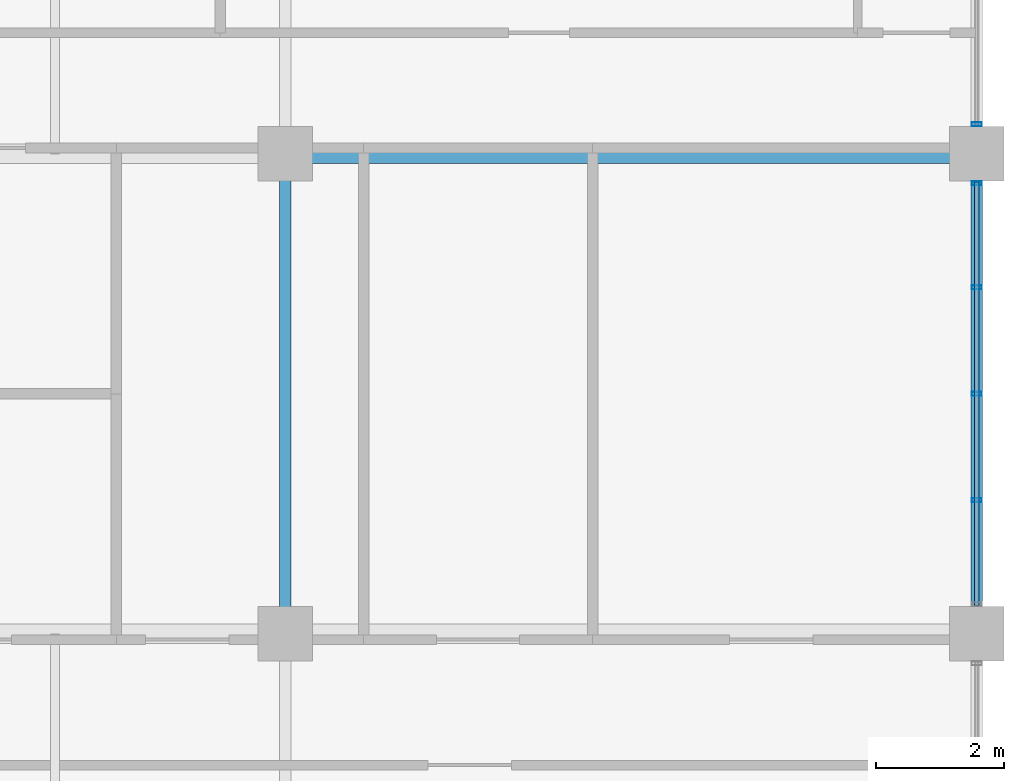
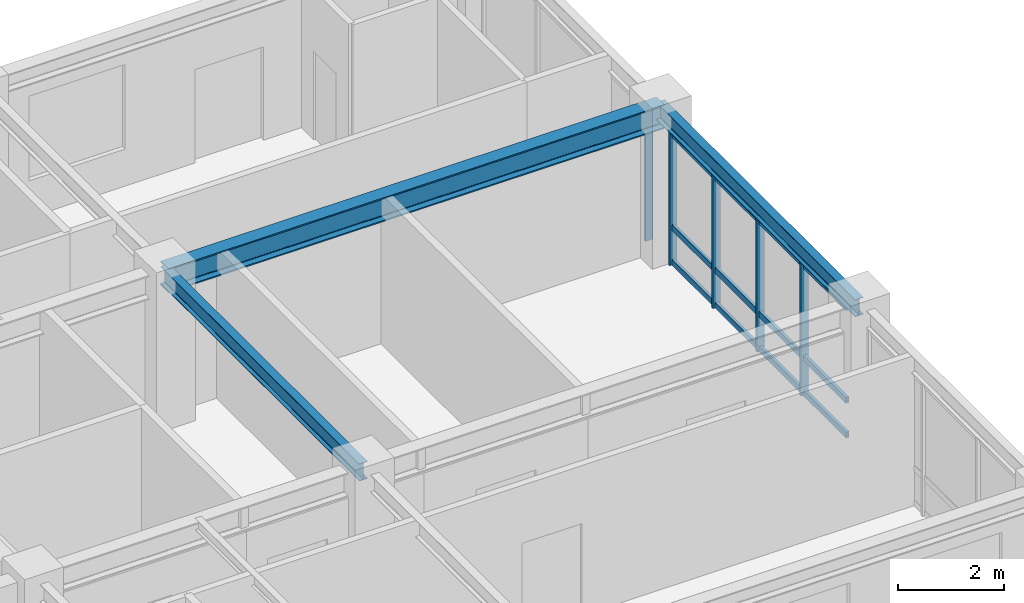
# One storey, part 3 of 11: 8 members, 3 beams, 2 elements without a shape of their own.
"""IFC4 building model written with IfcOpenShell, lengths in metres."""

from ifc_helpers import new_model, si_unit, direction, frame, origin, origin_2d, place, context, subcontext, project, spatial, hollow_rectangle, i_section, extrude, source, transform, mapped, material, layer, layer_set, material_profile, profile_set, type_object, element, aggregate, save


model = new_model("IFC4")

# Units and contexts
model_context = context("Model", 3, precision=1e-05, world=origin(), true_north=direction((0.0, 1.0)))
body_context = subcontext(model_context, "Body", "Model", "MODEL_VIEW")
ifc_project = project(units=[si_unit("LENGTHUNIT", "METRE"), si_unit("AREAUNIT", "SQUARE_METRE"), si_unit("VOLUMEUNIT", "CUBIC_METRE"), si_unit("PLANEANGLEUNIT", "RADIAN"), si_unit("MASSUNIT", "GRAM", prefix="KILO")], contexts=[model_context])

# Site, building, storey
site_placement = place(None, origin())
site = spatial("IfcSite", under=ifc_project, at=site_placement, CompositionType="ELEMENT")
building_placement = place(site_placement, origin())
building = spatial("IfcBuilding", under=site, at=building_placement, Name="Kaliganga Portal Commons", CompositionType="ELEMENT")
storey_placement = place(building_placement, frame((0.0, 0.0, 261.0)))
storey = spatial("IfcBuildingStorey", under=building, at=storey_placement, Name="L67", CompositionType="ELEMENT", Elevation=261.0)

# Beams
ifc_material_1 = material(Name="Structural steel S355J2", Category="steel")
ifc_material_profile_1 = material_profile(ifc_material_1, i_section(OverallWidth=0.300048828125, OverallDepth=0.550048828125, WebThickness=0.014892578125, FlangeThickness=0.029052734375, FilletRadius=0.027099609375, at=origin_2d()), Name="HE 550 B")
ifc_profile_set_1 = profile_set([ifc_material_profile_1], Name="Structural steel S355J2 wide-flange")
beam_type_1 = type_object("IfcBeamType", Name="BM-GIRD-550", PredefinedType="USERDEFINED", material=ifc_profile_set_1)
shared_shape_1 = source(origin(), body_context, "Body", "SweptSolid", [
    extrude(i_section(OverallWidth=0.300048828125, OverallDepth=0.550048828125, WebThickness=0.014892578125, FlangeThickness=0.029052734375, FilletRadius=0.027099609375, at=origin_2d()), origin(), (0.0, 0.0, 1.0), 10.800048828125),
])
beam_placement = place(storey_placement, frame((36.0, 36.14990234375, 3.199951171875), z_axis=(1.0, 0.0, 0.0), x_axis=(0.0, 1.0, 0.0)))
element("IfcBeam", 1, at=beam_placement, inside=storey, type_object=beam_type_1, Name="BM G L67 WAE_N 2", ObjectType="GIRDER", PredefinedType="USERDEFINED", context=body_context, shape_type="MappedRepresentation", body=[
    mapped(shared_shape_1, transform((0.0, 0.0, 0.0), x_axis=(1.0, 0.0, 0.0), y_axis=(0.0, 1.0, 0.0), z_axis=(0.0, 0.0, 1.0), scale=1.0)),
])
ifc_material_profile_2 = material_profile(ifc_material_1, i_section(OverallWidth=0.179931640625, OverallDepth=0.39990234375, WebThickness=0.008544921875, FlangeThickness=0.013427734375, FilletRadius=0.02099609375, at=origin_2d()), Name="IPE 400")
ifc_profile_set_2 = profile_set([ifc_material_profile_2], Name="Structural steel S355J2 wide-flange")
beam_type_2 = type_object("IfcBeamType", Name="BM-FLR-400", PredefinedType="BEAM", material=ifc_profile_set_2)
shared_shape_2 = source(origin(), body_context, "Body", "SweptSolid", [
    extrude(i_section(OverallWidth=0.179931640625, OverallDepth=0.39990234375, WebThickness=0.008544921875, FlangeThickness=0.013427734375, FilletRadius=0.02099609375, at=origin_2d()), origin(), (0.0, 0.0, 1.0), 7.5),
])
for number, where, z_axis, x_axis, name in (
    (2, (36.0, 28.64990234375, 3.27490234375), (0.0, 1.0, 0.0), (-1.0, 0.0, 0.0), "BM G L67 AM360"),
    (3, (46.800048828125, 28.64990234375, 3.27490234375), (0.0, 1.0, 0.0), (-1.0, 0.0, 0.0), "BM G L67 AM468"),
):
    element("IfcBeam", number, at=place(storey_placement, frame(where, z_axis=z_axis, x_axis=x_axis)), inside=storey, type_object=beam_type_2, Name=name, PredefinedType="BEAM", context=body_context, shape_type="MappedRepresentation", body=[
        mapped(shared_shape_2, transform((0.0, 0.0, 0.0), x_axis=(1.0, 0.0, 0.0), y_axis=(0.0, 1.0, 0.0), z_axis=(0.0, 0.0, 1.0), scale=1.0)),
    ])

# Curtain wall, members
ifc_material_2 = material(Name="Anodized Aluminium and Laminated Low-E Glass", Category="aluminium")
ifc_layer = layer(ifc_material_2, 0.18994140625)
ifc_layer_set = layer_set([ifc_layer], Name="Anodized Aluminium and Laminated Low-E Glass")
curtain_wall_type = type_object("IfcCurtainWallType", Name="CW-SYS-05", PredefinedType="NOTDEFINED", material=ifc_layer_set)
curtain_wall_1_placement = place(storey_placement, origin())
curtain_wall_1 = element("IfcCurtainWall", 4, at=curtain_wall_1_placement, inside=storey, type_object=curtain_wall_type, Name="CW 05 L67 P1E01S2", PredefinedType="NOTDEFINED")
ifc_material_3 = material(Name="Dark Bronze Anodized Aluminium", Category="aluminium")
ifc_material_profile_3 = material_profile(ifc_material_3, hollow_rectangle(XDim=0.06005859375, YDim=0.159912109375, WallThickness=0.00341796875, at=origin_2d()), Name="ALU MULL 60x160x3.5")
ifc_profile_set_3 = profile_set([ifc_material_profile_3], Name="Dark Bronze Anodized Aluminium")
member_type_1 = type_object("IfcMemberType", Name="CW-MUL-160", PredefinedType="MULLION", material=ifc_profile_set_3)
shared_shape_3 = source(origin(), body_context, "Body", "SweptSolid", [
    extrude(hollow_rectangle(XDim=0.06005859375, YDim=0.159912109375, WallThickness=0.00341796875, at=origin_2d()), origin(), (0.0, 0.0, 1.0), 3.074951171875),
])
member_1_placement = place(storey_placement, frame((46.800048828125, 30.738037109375, 0.0), z_axis=(0.0, 0.0, 1.0), x_axis=(0.0, 1.0, 0.0)))
member_1 = element("IfcMember", 5, at=member_1_placement, type_object=member_type_1, Name="CW:05:L67:P1E01S2 Mullion 01", PredefinedType="MULLION", context=body_context, shape_type="MappedRepresentation", body=[
    mapped(shared_shape_3, transform((0.0, 0.0, 0.0), x_axis=(1.0, 0.0, 0.0), y_axis=(0.0, 1.0, 0.0), z_axis=(0.0, 0.0, 1.0), scale=1.0)),
])
member_2_placement = place(storey_placement, frame((46.800048828125, 32.39990234375, 0.0), z_axis=(0.0, 0.0, 1.0), x_axis=(0.0, 1.0, 0.0)))
member_2 = element("IfcMember", 6, at=member_2_placement, type_object=member_type_1, Name="CW:05:L67:P1E01S2 Mullion 02", PredefinedType="MULLION", context=body_context, shape_type="MappedRepresentation", body=[
    mapped(shared_shape_3, transform((0.0, 0.0, 0.0), x_axis=(1.0, 0.0, 0.0), y_axis=(0.0, 1.0, 0.0), z_axis=(0.0, 0.0, 1.0), scale=1.0)),
])
member_3_placement = place(storey_placement, frame((46.800048828125, 34.06201171875, 0.0), z_axis=(0.0, 0.0, 1.0), x_axis=(0.0, 1.0, 0.0)))
member_3 = element("IfcMember", 7, at=member_3_placement, type_object=member_type_1, Name="CW:05:L67:P1E01S2 Mullion 03", PredefinedType="MULLION", context=body_context, shape_type="MappedRepresentation", body=[
    mapped(shared_shape_3, transform((0.0, 0.0, 0.0), x_axis=(1.0, 0.0, 0.0), y_axis=(0.0, 1.0, 0.0), z_axis=(0.0, 0.0, 1.0), scale=1.0)),
])
member_4_placement = place(storey_placement, frame((46.800048828125, 35.68896484375, 0.0), z_axis=(0.0, 0.0, 1.0), x_axis=(0.0, 1.0, 0.0)))
member_4 = element("IfcMember", 8, at=member_4_placement, type_object=member_type_1, Name="CW:05:L67:P1E01S2 Mullion 04", PredefinedType="MULLION", context=body_context, shape_type="MappedRepresentation", body=[
    mapped(shared_shape_3, transform((0.0, 0.0, 0.0), x_axis=(1.0, 0.0, 0.0), y_axis=(0.0, 1.0, 0.0), z_axis=(0.0, 0.0, 1.0), scale=1.0)),
])

# Curtain wall, member
curtain_wall_2_placement = place(storey_placement, origin())
curtain_wall_2 = element("IfcCurtainWall", 9, at=curtain_wall_2_placement, inside=storey, type_object=curtain_wall_type, Name="CW 05 L67 P1E01S3", PredefinedType="NOTDEFINED")
member_5_placement = place(storey_placement, frame((46.800048828125, 36.611083984375, 0.0), z_axis=(0.0, 0.0, 1.0), x_axis=(0.0, 1.0, 0.0)))
member_5 = element("IfcMember", 10, at=member_5_placement, type_object=member_type_1, Name="CW:05:L67:P1E01S3 Mullion 00", PredefinedType="MULLION", context=body_context, shape_type="MappedRepresentation", body=[
    mapped(shared_shape_3, transform((0.0, 0.0, 0.0), x_axis=(1.0, 0.0, 0.0), y_axis=(0.0, 1.0, 0.0), z_axis=(0.0, 0.0, 1.0), scale=1.0)),
])
aggregate(curtain_wall_2, [member_5])

# Member
ifc_material_profile_4 = material_profile(ifc_material_3, hollow_rectangle(XDim=0.06494140625, YDim=0.135009765625, WallThickness=0.00341796875, at=origin_2d()), Name="ALU TRAN 65x135x3.5")
ifc_profile_set_4 = profile_set([ifc_material_profile_4], Name="Dark Bronze Anodized Aluminium")
member_type_2 = type_object("IfcMemberType", Name="CW-TRN-135", PredefinedType="USERDEFINED", material=ifc_profile_set_4)
shared_shape_4 = source(origin(), body_context, "Body", "SweptSolid", [
    extrude(hollow_rectangle(XDim=0.06494140625, YDim=0.135009765625, WallThickness=0.00341796875, at=origin_2d()), origin(), (0.0, 0.0, 1.0), 6.608154296875),
])
member_6_placement = place(storey_placement, frame((46.800048828125, 29.095947265625, 0.06005859375), z_axis=(0.0, 1.0, 0.0), x_axis=(-1.0, 0.0, 0.0)))
member_6 = element("IfcMember", 11, at=member_6_placement, type_object=member_type_2, Name="CW:05:L67:P1E01S2 Transom 1", ObjectType="TRANSOM", PredefinedType="USERDEFINED", context=body_context, shape_type="MappedRepresentation", body=[
    mapped(shared_shape_4, transform((0.0, 0.0, 0.0), x_axis=(1.0, 0.0, 0.0), y_axis=(0.0, 1.0, 0.0), z_axis=(0.0, 0.0, 1.0), scale=1.0)),
])

member_7_placement = place(storey_placement, frame((46.800048828125, 29.095947265625, 0.861083984375), z_axis=(0.0, 1.0, 0.0), x_axis=(-1.0, 0.0, 0.0)))
member_7 = element("IfcMember", 12, at=member_7_placement, type_object=member_type_2, Name="CW:05:L67:P1E01S2 Transom 2", ObjectType="TRANSOM", PredefinedType="USERDEFINED", context=body_context, shape_type="MappedRepresentation", body=[
    mapped(shared_shape_4, transform((0.0, 0.0, 0.0), x_axis=(1.0, 0.0, 0.0), y_axis=(0.0, 1.0, 0.0), z_axis=(0.0, 0.0, 1.0), scale=1.0)),
])

member_8_placement = place(storey_placement, frame((46.800048828125, 29.095947265625, 2.9951171875), z_axis=(0.0, 1.0, 0.0), x_axis=(-1.0, 0.0, 0.0)))
member_8 = element("IfcMember", 13, at=member_8_placement, type_object=member_type_2, Name="CW:05:L67:P1E01S2 Transom 3", ObjectType="TRANSOM", PredefinedType="USERDEFINED", context=body_context, shape_type="MappedRepresentation", body=[
    mapped(shared_shape_4, transform((0.0, 0.0, 0.0), x_axis=(1.0, 0.0, 0.0), y_axis=(0.0, 1.0, 0.0), z_axis=(0.0, 0.0, 1.0), scale=1.0)),
])

aggregate(curtain_wall_1, [member_1, member_2, member_3, member_4, member_6, member_7, member_8])

save(model, "model.ifc")
